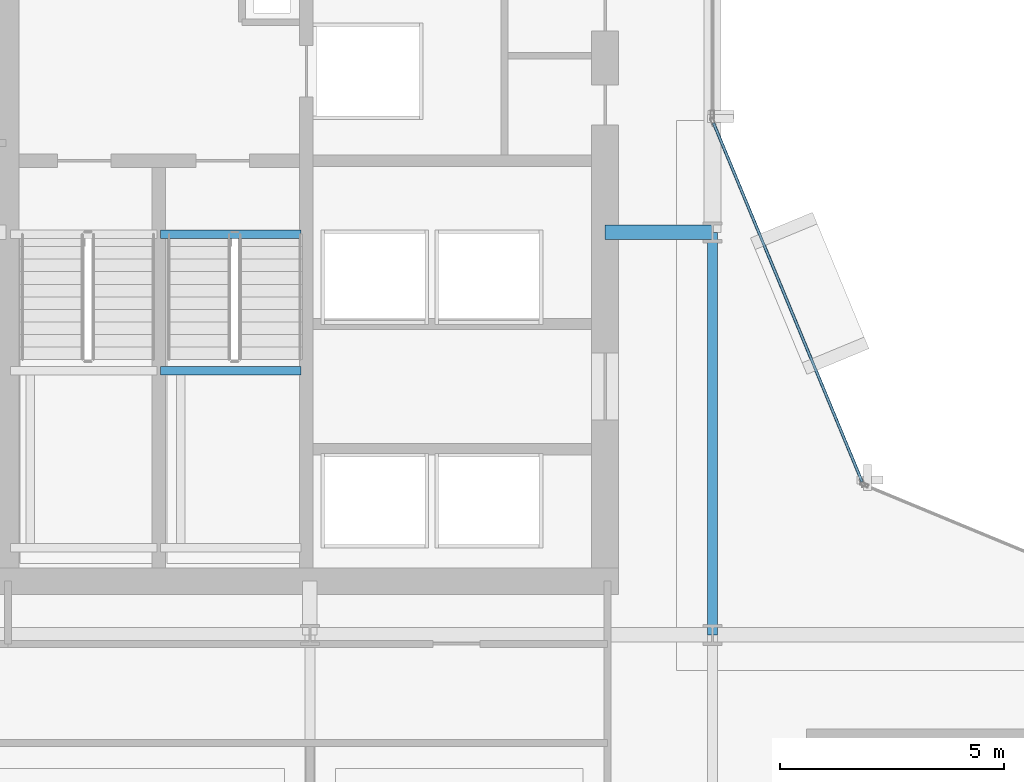
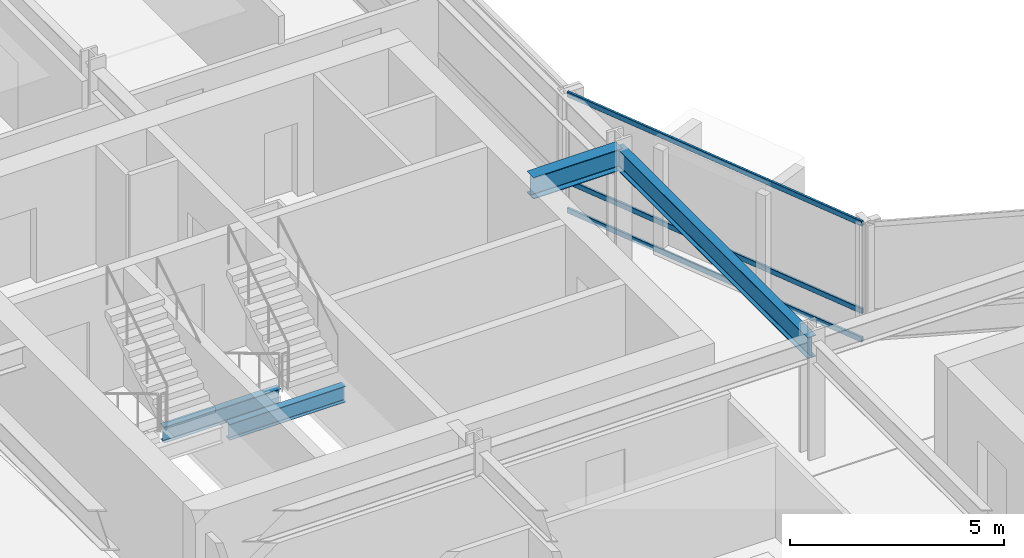
# One storey, part 20 of 34: 4 beams, 3 members, 1 element without a shape of its own.
"""IFC4 building model written with IfcOpenShell, lengths in metres."""

from ifc_helpers import new_model, si_unit, direction, frame, origin, origin_2d, place, context, subcontext, project, spatial, hollow_rectangle, i_section, extrude, material, layer, layer_set, material_profile, profile_set, type_object, element, aggregate, save


model = new_model("IFC4")

# Units and contexts
model_context = context("Model", 3, precision=1e-05, world=origin(), true_north=direction((0.0, 1.0)))
body_context = subcontext(model_context, "Body", "Model", "MODEL_VIEW")
ifc_project = project(units=[si_unit("LENGTHUNIT", "METRE"), si_unit("AREAUNIT", "SQUARE_METRE"), si_unit("VOLUMEUNIT", "CUBIC_METRE"), si_unit("PLANEANGLEUNIT", "RADIAN"), si_unit("MASSUNIT", "GRAM", prefix="KILO")], contexts=[model_context])

# Site, building, storey
site_placement = place(None, origin())
site = spatial("IfcSite", under=ifc_project, at=site_placement, CompositionType="ELEMENT")
building_placement = place(site_placement, origin())
building = spatial("IfcBuilding", under=site, at=building_placement, Name="Solvaryn Broadcast Tower", CompositionType="ELEMENT")
storey_placement = place(building_placement, frame((0.0, 0.0, 96.5)))
storey = spatial("IfcBuildingStorey", under=building, at=storey_placement, Name="L23", CompositionType="ELEMENT", Elevation=96.5)

# Beams
ifc_material_1 = material(Name="Steel ASTM A992 Grade 50", Category="steel")
ifc_material_profile_1 = material_profile(ifc_material_1, i_section(OverallWidth=0.323974609375, OverallDepth=0.611083984375, WebThickness=0.0126953125, FlangeThickness=0.01904296875, FilletRadius=0.014892578125, at=origin_2d()))
ifc_profile_set_1 = profile_set([ifc_material_profile_1], Name="Steel ASTM A992 Grade 50")
beam_type_1 = type_object("IfcBeamType", Name="BM-B1-W24X104", PredefinedType="BEAM", material=ifc_profile_set_1)
beam_1_placement = place(storey_placement, frame((24.60009765625, 36.0, 3.064453125), z_axis=(1.0, 0.0, 0.0), x_axis=(0.0, 1.0, 0.0)))
element("IfcBeam", 1, at=beam_1_placement, inside=storey, type_object=beam_type_1, Name="L23 Core Tie Beam CTW2", PredefinedType="BEAM", context=body_context, shape_type="SweptSolid", body=[
    extrude(i_section(OverallWidth=0.323974609375, OverallDepth=0.611083984375, WebThickness=0.0126953125, FlangeThickness=0.01904296875, FilletRadius=0.014892578125, at=origin_2d()), origin(), (0.0, 0.0, 1.0), 2.39990234375),
])
ifc_material_2 = material(Name="Steel ASTM A992 Grade 50", Category="steel")
ifc_material_profile_2 = material_profile(ifc_material_2, i_section(OverallWidth=0.22802734375, OverallDepth=0.60791015625, WebThickness=0.01123046875, FlangeThickness=0.017333984375, FilletRadius=0.014892578125, at=origin_2d()))
ifc_profile_set_2 = profile_set([ifc_material_profile_2], Name="Steel ASTM A992 Grade 50")
beam_type_2 = type_object("IfcBeamType", Name="BM-B2-W24X76", PredefinedType="BEAM", material=ifc_profile_set_2)
beam_2_placement = place(storey_placement, frame((27.0, 27.0, 3.06591796875), z_axis=(0.0, 1.0, 0.0), x_axis=(-1.0, 0.0, 0.0)))
element("IfcBeam", 2, at=beam_2_placement, inside=storey, type_object=beam_type_2, Name="L23 Primary Beam Y (27-36 @ X=27)", PredefinedType="BEAM", context=body_context, shape_type="SweptSolid", body=[
    extrude(i_section(OverallWidth=0.22802734375, OverallDepth=0.60791015625, WebThickness=0.01123046875, FlangeThickness=0.017333984375, FilletRadius=0.014892578125, at=origin_2d()), origin(), (0.0, 0.0, 1.0), 9.0),
])
ifc_material_3 = material(Name="Steel ASTM A992 Grade 50", Category="steel")
ifc_material_profile_3 = material_profile(ifc_material_3, i_section(OverallWidth=0.18994140625, OverallDepth=0.45703125, WebThickness=0.009033203125, FlangeThickness=0.014404296875, FilletRadius=0.011962890625, at=origin_2d()))
ifc_profile_set_3 = profile_set([ifc_material_profile_3], Name="Steel ASTM A992 Grade 50")
beam_type_3 = type_object("IfcBeamType", Name="BM-B4-W18X50", PredefinedType="BEAM", material=ifc_profile_set_3)
for number, where, z_axis, x_axis, name in (
    (3, (14.659912109375, 35.9599609375, -0.508544921875), (1.0, 0.0, 0.0), (0.0, 1.0, 0.0), "L23 ST2 Stair Well Trimmer Beam"),
    (4, (14.659912109375, 32.909912109375, 1.42138671875), (1.0, 0.0, 0.0), (0.0, 1.0, 0.0), "L23 ST2 Landing Support Beam 1B"),
):
    element("IfcBeam", number, at=place(storey_placement, frame(where, z_axis=z_axis, x_axis=x_axis)), inside=storey, type_object=beam_type_3, Name=name, PredefinedType="BEAM", context=body_context, shape_type="SweptSolid", body=[
        extrude(i_section(OverallWidth=0.18994140625, OverallDepth=0.45703125, WebThickness=0.009033203125, FlangeThickness=0.014404296875, FilletRadius=0.011962890625, at=origin_2d()), origin(), (0.0, 0.0, 1.0), 3.14013671875),
    ])

# Curtain wall, members
ifc_material_4 = material(Name="Aluminium and Terracotta Unitised Curtain Wall", Category="masonry")
ifc_layer = layer(ifc_material_4, 0.199951171875)
ifc_layer_set = layer_set([ifc_layer], Name="CW-SYS2-LOWMID")
curtain_wall_type = type_object("IfcCurtainWallType", Name="CW-SYS2-LOWMID", PredefinedType="NOTDEFINED", material=ifc_layer_set)
curtain_wall_placement = place(storey_placement, origin())
curtain_wall = element("IfcCurtainWall", 5, at=curtain_wall_placement, inside=storey, type_object=curtain_wall_type, Name="L23 Curtain Wall CN2", PredefinedType="NOTDEFINED")
ifc_material_5 = material(Name="Anodised Aluminium 6063-T6", Category="aluminium")
ifc_material_profile_4 = material_profile(ifc_material_5, hollow_rectangle(XDim=0.06494140625, YDim=0.14990234375, WallThickness=0.00390625, InnerFilletRadius=0.00390625, OuterFilletRadius=0.008056640625, at=origin_2d()))
ifc_profile_set_4 = profile_set([ifc_material_profile_4], Name="Anodised Aluminium 6063-T6")
member_type = type_object("IfcMemberType", Name="CW-TRN-150", PredefinedType="USERDEFINED", material=ifc_profile_set_4)
member_1_placement = place(storey_placement, frame((30.344970703125, 30.42333984375, 0.030029296875), z_axis=(-0.382635748975, 0.923899282177, 0.0), x_axis=(-0.923899282177, -0.382635748975, 0.0)))
member_1 = element("IfcMember", 6, at=member_1_placement, type_object=member_type, Name="CWS2 transom 1.1", ObjectType="TRANSOM", PredefinedType="USERDEFINED", context=body_context, shape_type="SweptSolid", body=[
    extrude(hollow_rectangle(XDim=0.06494140625, YDim=0.14990234375, WallThickness=0.00390625, InnerFilletRadius=0.00390625, OuterFilletRadius=0.008056640625, at=origin_2d()), origin(), (0.0, 0.0, 1.0), 8.681884765625),
])
member_2_placement = place(storey_placement, frame((30.344970703125, 30.42333984375, 0.85009765625), z_axis=(-0.382635748975, 0.923899282177, 0.0), x_axis=(-0.923899282177, -0.382635748975, 0.0)))
member_2 = element("IfcMember", 7, at=member_2_placement, type_object=member_type, Name="CWS2 transom 1.2", ObjectType="TRANSOM", PredefinedType="USERDEFINED", context=body_context, shape_type="SweptSolid", body=[
    extrude(hollow_rectangle(XDim=0.06494140625, YDim=0.14990234375, WallThickness=0.00390625, InnerFilletRadius=0.00390625, OuterFilletRadius=0.008056640625, at=origin_2d()), origin(), (0.0, 0.0, 1.0), 8.681884765625),
])
member_3_placement = place(storey_placement, frame((30.344970703125, 30.42333984375, 3.340087890625), z_axis=(-0.382635748975, 0.923899282177, 0.0), x_axis=(-0.923899282177, -0.382635748975, 0.0)))
member_3 = element("IfcMember", 8, at=member_3_placement, type_object=member_type, Name="CWS2 transom 1.3", ObjectType="TRANSOM", PredefinedType="USERDEFINED", context=body_context, shape_type="SweptSolid", body=[
    extrude(hollow_rectangle(XDim=0.06494140625, YDim=0.14990234375, WallThickness=0.00390625, InnerFilletRadius=0.00390625, OuterFilletRadius=0.008056640625, at=origin_2d()), origin(), (0.0, 0.0, 1.0), 8.681884765625),
])
aggregate(curtain_wall, [member_1, member_2, member_3])

save(model, "model.ifc")
